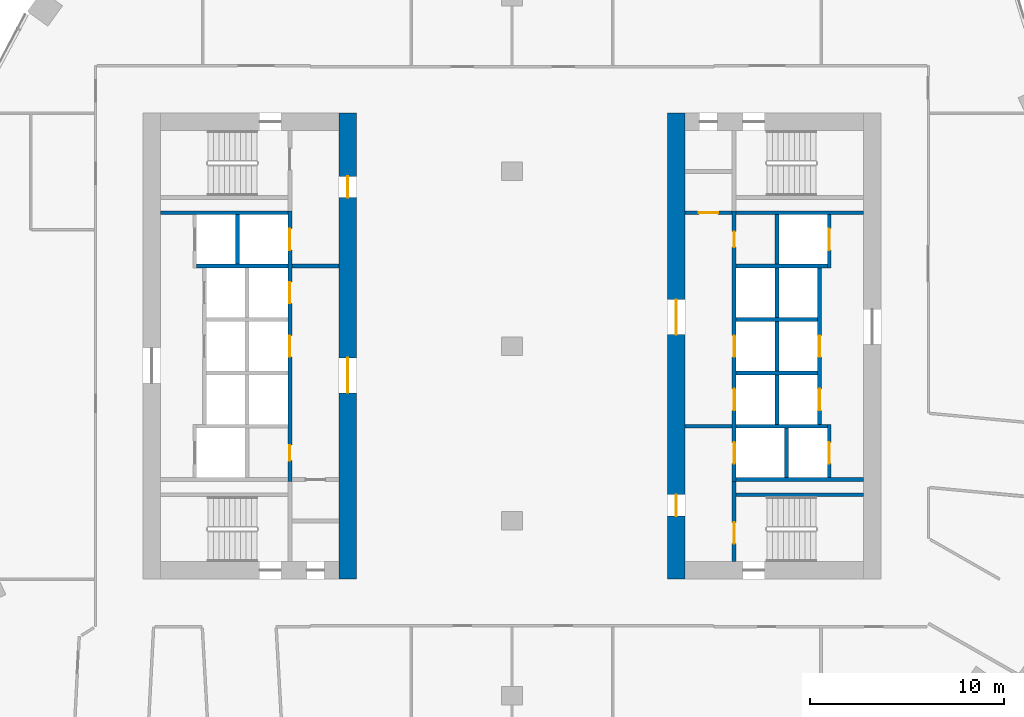
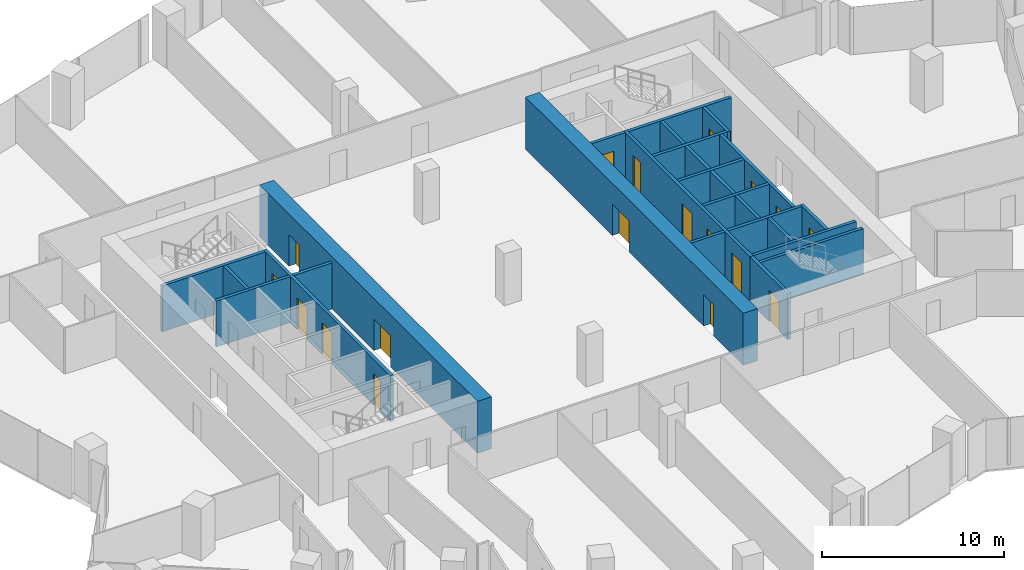
# One storey, part 25 of 31: 26 walls, 18 doors, 18 openings.
"""IFC4 building model written with IfcOpenShell, lengths in metres."""

from ifc_helpers import new_model, si_unit, direction, frame, frame_2d, origin, place, context, subcontext, project, spatial, rectangle, extrude, material, layer, layer_set, type_object, element, fill, save


model = new_model("IFC4")

# Units and contexts
model_context = context("Model", 3, precision=1e-05, world=origin(), true_north=direction((0.0, 1.0)))
body_context = subcontext(model_context, "Body", "Model", "MODEL_VIEW")
ifc_project = project(units=[si_unit("LENGTHUNIT", "METRE"), si_unit("AREAUNIT", "SQUARE_METRE"), si_unit("VOLUMEUNIT", "CUBIC_METRE"), si_unit("PLANEANGLEUNIT", "RADIAN"), si_unit("MASSUNIT", "GRAM", prefix="KILO")], contexts=[model_context])

# Site, building, storey
site_placement = place(None, origin())
site = spatial("IfcSite", under=ifc_project, at=site_placement, CompositionType="ELEMENT")
building_placement = place(site_placement, origin())
building = spatial("IfcBuilding", under=site, at=building_placement, Name="Orlundy Tower", CompositionType="ELEMENT")
storey_placement = place(building_placement, frame((0.0, 0.0, 87.699951171875)))
storey = spatial("IfcBuildingStorey", under=building, at=storey_placement, Name="L21", CompositionType="ELEMENT", Elevation=87.699951171875)

# Wall, openings, doors
ifc_material_1 = material(Name="Concrete C80/95", Category="concrete")
ifc_layer_1 = layer(ifc_material_1, 0.89990234375)
ifc_layer_set_1 = layer_set([ifc_layer_1], Name="CORE WALL 900 C80/95")
wall_type_1 = type_object("IfcWallType", Name="CORE WALL 900 C80/95", PredefinedType="SHEAR", material=ifc_layer_set_1)
wall_1_placement = place(storey_placement, frame((-8.449951171875, -12.0, 0.0), z_axis=(0.0, 0.0, 1.0), x_axis=(0.0, 1.0, 0.0)))
wall_1 = element("IfcWall", 1, at=wall_1_placement, inside=storey, type_object=wall_type_1, Name="Core wall W-E L21", PredefinedType="SHEAR", context=body_context, shape_type="SweptSolid", body=[
    extrude(rectangle(XDim=24.0, YDim=0.89990234375, at=frame_2d((12.0, 0.0))), origin(), (0.0, 0.0, 1.0), 3.5),
])
opening_1_placement = place(wall_1_placement, frame((9.60009765625, 0.0, 0.0)))
opening_1 = element("IfcOpeningElement", 2, at=opening_1_placement, cuts=wall_1, Name="Opening 17009", PredefinedType="OPENING", context=body_context, shape_type="SweptSolid", body=[
    extrude(rectangle(XDim=1.800048828125, YDim=2.10009765625, at=frame_2d((0.89990234375, 1.050048828125))), frame((0.0, 0.4599609375, 0.0), z_axis=(0.0, -1.0, 0.0), x_axis=(1.0, 0.0, 0.0)), (0.0, 0.0, 1.0), 0.919921875),
])
opening_2_placement = place(wall_1_placement, frame((19.64990234375, 0.0, 0.0)))
opening_2 = element("IfcOpeningElement", 3, at=opening_2_placement, cuts=wall_1, Name="Opening 17011", PredefinedType="OPENING", context=body_context, shape_type="SweptSolid", body=[
    extrude(rectangle(XDim=1.10009765625, YDim=2.10009765625, at=frame_2d((0.550048828125, 1.050048828125))), frame((0.0, 0.4599609375, 0.0), z_axis=(0.0, -1.0, 0.0), x_axis=(1.0, 0.0, 0.0)), (0.0, 0.0, 1.0), 0.919921875),
])
ifc_material_2 = material(Name="Steel door set", Category="steel")
door_type_1 = type_object("IfcDoorType", Name="Fire-fighting Lobby Door 1100x2100", OperationType="SINGLE_SWING_LEFT", PredefinedType="DOOR", material=ifc_material_2)
door_1_placement = place(opening_2_placement, origin())
door_1 = element("IfcDoor", 4, at=door_1_placement, inside=storey, type_object=door_type_1, Name="Fire-fighting lobby door 17011", OperationType="SINGLE_SWING_RIGHT", OverallHeight=2.10009765625, OverallWidth=1.10009765625, PredefinedType="DOOR", context=body_context, shape_type="SweptSolid", body=[
    extrude(rectangle(XDim=1.10009765625, YDim=2.10009765625, at=frame_2d((0.550048828125, 1.050048828125))), frame((0.0, 0.02490234375, 0.0), z_axis=(0.0, -1.0, 0.0), x_axis=(1.0, 0.0, 0.0)), (0.0, 0.0, 1.0), 0.050048828125),
])
fill(opening_2, door_1)
ifc_material_3 = material(Name="Timber door set", Category="wood")
door_type_2 = type_object("IfcDoorType", Name="Lobby Door 1800x2100", OperationType="DOUBLE_DOOR_DOUBLE_SWING", PredefinedType="DOOR", material=ifc_material_3)
door_2_placement = place(opening_1_placement, origin())
door_2 = element("IfcDoor", 5, at=door_2_placement, inside=storey, type_object=door_type_2, Name="Lift lobby door 17009", OperationType="SINGLE_SWING_LEFT", OverallHeight=2.10009765625, OverallWidth=1.800048828125, PredefinedType="DOOR", context=body_context, shape_type="SweptSolid", body=[
    extrude(rectangle(XDim=1.800048828125, YDim=2.10009765625, at=frame_2d((0.89990234375, 1.050048828125))), frame((0.0, 0.02490234375, 0.0), z_axis=(0.0, -1.0, 0.0), x_axis=(1.0, 0.0, 0.0)), (0.0, 0.0, 1.0), 0.050048828125),
])
fill(opening_1, door_2)

wall_2_placement = place(storey_placement, frame((8.449951171875, -12.0, 0.0), z_axis=(0.0, 0.0, 1.0), x_axis=(0.0, 1.0, 0.0)))
wall_2 = element("IfcWall", 6, at=wall_2_placement, inside=storey, type_object=wall_type_1, Name="Core wall E-W L21", PredefinedType="SHEAR", context=body_context, shape_type="SweptSolid", body=[
    extrude(rectangle(XDim=24.0, YDim=0.89990234375, at=frame_2d((12.0, 0.0))), origin(), (0.0, 0.0, 1.0), 3.5),
])
opening_3_placement = place(wall_2_placement, frame((12.60009765625, 0.0, 0.0)))
opening_3 = element("IfcOpeningElement", 7, at=opening_3_placement, cuts=wall_2, Name="Opening 17058", PredefinedType="OPENING", context=body_context, shape_type="SweptSolid", body=[
    extrude(rectangle(XDim=1.800048828125, YDim=2.10009765625, at=frame_2d((0.89990234375, 1.050048828125))), frame((0.0, 0.4599609375, 0.0), z_axis=(0.0, -1.0, 0.0), x_axis=(1.0, 0.0, 0.0)), (0.0, 0.0, 1.0), 0.919921875),
])
opening_4_placement = place(wall_2_placement, frame((3.25, 0.0, 0.0)))
opening_4 = element("IfcOpeningElement", 8, at=opening_4_placement, cuts=wall_2, Name="Opening 17060", PredefinedType="OPENING", context=body_context, shape_type="SweptSolid", body=[
    extrude(rectangle(XDim=1.10009765625, YDim=2.10009765625, at=frame_2d((0.550048828125, 1.050048828125))), frame((0.0, 0.4599609375, 0.0), z_axis=(0.0, -1.0, 0.0), x_axis=(1.0, 0.0, 0.0)), (0.0, 0.0, 1.0), 0.919921875),
])
door_3_placement = place(opening_4_placement, origin())
door_3 = element("IfcDoor", 9, at=door_3_placement, inside=storey, type_object=door_type_1, Name="Fire-fighting lobby door 17060", OperationType="SINGLE_SWING_LEFT", OverallHeight=2.10009765625, OverallWidth=1.10009765625, PredefinedType="DOOR", context=body_context, shape_type="SweptSolid", body=[
    extrude(rectangle(XDim=1.10009765625, YDim=2.10009765625, at=frame_2d((0.550048828125, 1.050048828125))), frame((0.0, 0.02490234375, 0.0), z_axis=(0.0, -1.0, 0.0), x_axis=(1.0, 0.0, 0.0)), (0.0, 0.0, 1.0), 0.050048828125),
])
fill(opening_4, door_3)
door_4_placement = place(opening_3_placement, origin())
door_4 = element("IfcDoor", 10, at=door_4_placement, inside=storey, type_object=door_type_2, Name="Lift lobby door 17058", OperationType="SINGLE_SWING_RIGHT", OverallHeight=2.10009765625, OverallWidth=1.800048828125, PredefinedType="DOOR", context=body_context, shape_type="SweptSolid", body=[
    extrude(rectangle(XDim=1.800048828125, YDim=2.10009765625, at=frame_2d((0.89990234375, 1.050048828125))), frame((0.0, 0.02490234375, 0.0), z_axis=(0.0, -1.0, 0.0), x_axis=(1.0, 0.0, 0.0)), (0.0, 0.0, 1.0), 0.050048828125),
])
fill(opening_3, door_4)

# Wall, opening, door
ifc_material_4 = material(Name="Concrete C40/50", Category="concrete")
ifc_layer_2 = layer(ifc_material_4, 0.199951171875)
ifc_layer_set_2 = layer_set([ifc_layer_2], Name="Load-bearing Shaft Wall 200")
wall_type_2 = type_object("IfcWallType", Name="Load-bearing Shaft Wall 200", PredefinedType="SOLIDWALL", material=ifc_layer_set_2)
wall_3_placement = place(storey_placement, frame((11.43994140625, -6.97509765625, 0.0), z_axis=(0.0, 0.0, 1.0), x_axis=(0.0, -1.0, 0.0)))
wall_3 = element("IfcWall", 11, at=wall_3_placement, inside=storey, type_object=wall_type_2, Name="Shaft wall E17-stair-end-n", PredefinedType="SOLIDWALL", context=body_context, shape_type="SweptSolid", body=[
    extrude(rectangle(XDim=4.125, YDim=0.199951171875, at=frame_2d((2.0625, 0.0))), origin(), (0.0, 0.0, 1.0), 3.090087890625),
])
opening_5_placement = place(wall_3_placement, frame((2.10009765625, 0.0, 0.0)))
opening_5 = element("IfcOpeningElement", 12, at=opening_5_placement, cuts=wall_3, Name="Opening 17063", PredefinedType="OPENING", context=body_context, shape_type="SweptSolid", body=[
    extrude(rectangle(XDim=1.10009765625, YDim=2.10009765625, at=frame_2d((0.550048828125, 1.050048828125))), frame((0.0, 0.110107421875, 0.0), z_axis=(0.0, -1.0, 0.0), x_axis=(1.0, 0.0, 0.0)), (0.0, 0.0, 1.0), 0.22021484375),
])
door_5_placement = place(opening_5_placement, origin())
door_5 = element("IfcDoor", 13, at=door_5_placement, inside=storey, type_object=door_type_1, Name="Fire-fighting lobby to stair door 17063", OperationType="SINGLE_SWING_RIGHT", OverallHeight=2.10009765625, OverallWidth=1.10009765625, PredefinedType="DOOR", context=body_context, shape_type="SweptSolid", body=[
    extrude(rectangle(XDim=1.10009765625, YDim=2.10009765625, at=frame_2d((0.550048828125, 1.050048828125))), frame((0.0, 0.02490234375, 0.0), z_axis=(0.0, -1.0, 0.0), x_axis=(1.0, 0.0, 0.0)), (0.0, 0.0, 1.0), 0.050048828125),
])
fill(opening_5, door_5)

# Walls
wall_4_placement = place(storey_placement, frame((11.5400390625, -7.64990234375, 0.0), z_axis=(0.0, 0.0, 1.0), x_axis=(1.0, 0.0, 0.0)))
element("IfcWall", 14, at=wall_4_placement, inside=storey, type_object=wall_type_2, Name="Shaft wall E17-stair-side-n", PredefinedType="SOLIDWALL", context=body_context, shape_type="SweptSolid", body=[
    extrude(rectangle(XDim=6.56005859375, YDim=0.199951171875, at=frame_2d((3.280029296875, 0.0))), origin(), (0.0, 0.0, 1.0), 3.090087890625),
])
ifc_material_5 = material(Name="Gypsum board partition on steel studs", Category="steel")
ifc_layer_3 = layer(ifc_material_5, 0.199951171875)
ifc_layer_set_3 = layer_set([ifc_layer_3], Name="Partition 200")
wall_type_3 = type_object("IfcWallType", Name="Partition 200", PredefinedType="PARTITIONING", material=ifc_layer_set_3)
for number, where, z_axis, x_axis, name in (
    (15, (-8.89990234375, 4.125, 0.0), (0.0, 0.0, 1.0), (-1.0, 0.0, 0.0), "Partition wall W17-lobby-n"),
    (16, (8.89990234375, -4.125, 0.0), (0.0, 0.0, 1.0), (1.0, 0.0, 0.0), "Partition wall E17-lobby-n"),
):
    element("IfcWall", number, at=place(storey_placement, frame(where, z_axis=z_axis, x_axis=x_axis)), inside=storey, type_object=wall_type_3, Name=name, PredefinedType="PARTITIONING", context=body_context, shape_type="SweptSolid", body=[
        extrude(rectangle(XDim=2.440185546875, YDim=0.199951171875, at=frame_2d((1.22021484375, 0.0))), origin(), (0.0, 0.0, 1.0), 3.090087890625),
    ])

# Wall, opening, door
wall_5_placement = place(storey_placement, frame((8.89990234375, 6.875, 0.0), z_axis=(0.0, 0.0, 1.0), x_axis=(1.0, 0.0, 0.0)))
wall_5 = element("IfcWall", 17, at=wall_5_placement, inside=storey, type_object=wall_type_3, Name="Partition wall E17-end-s", PredefinedType="PARTITIONING", context=body_context, shape_type="SweptSolid", body=[
    extrude(rectangle(XDim=2.440185546875, YDim=0.199951171875, at=frame_2d((1.22021484375, 0.0))), origin(), (0.0, 0.0, 1.0), 3.090087890625),
])
opening_6_placement = place(wall_5_placement, frame((0.719970703125, 0.0, 0.0)))
opening_6 = element("IfcOpeningElement", 18, at=opening_6_placement, cuts=wall_5, Name="Opening 17065", PredefinedType="OPENING", context=body_context, shape_type="SweptSolid", body=[
    extrude(rectangle(XDim=1.0, YDim=2.10009765625, at=frame_2d((0.5, 1.050048828125))), frame((0.0, 0.110107421875, 0.0), z_axis=(0.0, -1.0, 0.0), x_axis=(1.0, 0.0, 0.0)), (0.0, 0.0, 1.0), 0.22021484375),
])
ifc_material_6 = material(Name="Timber door set", Category="wood")
door_type_3 = type_object("IfcDoorType", Name="Accessible Door 1000x2100", OperationType="SINGLE_SWING_LEFT", PredefinedType="DOOR", material=ifc_material_6)
door_6_placement = place(opening_6_placement, origin())
door_6 = element("IfcDoor", 19, at=door_6_placement, inside=storey, type_object=door_type_3, Name="Accessible WC door 17065", OperationType="SINGLE_SWING_RIGHT", OverallHeight=2.10009765625, OverallWidth=1.0, PredefinedType="DOOR", context=body_context, shape_type="SweptSolid", body=[
    extrude(rectangle(XDim=1.0, YDim=2.10009765625, at=frame_2d((0.5, 1.050048828125))), frame((0.0, 0.02490234375, 0.0), z_axis=(0.0, -1.0, 0.0), x_axis=(1.0, 0.0, 0.0)), (0.0, 0.0, 1.0), 0.050048828125),
])
fill(opening_6, door_6)

# Walls
ifc_material_7 = material(Name="Fire-rated blockwork shaft wall", Category="masonry")
ifc_layer_4 = layer(ifc_material_7, 0.199951171875)
ifc_layer_set_4 = layer_set([ifc_layer_4], Name="Shaft Wall 200")
wall_type_4 = type_object("IfcWallType", Name="Shaft Wall 200", PredefinedType="SOLIDWALL", material=ifc_layer_set_4)
wall_6_placement = place(storey_placement, frame((-11.5400390625, 6.875, 0.0), z_axis=(0.0, 0.0, 1.0), x_axis=(-1.0, 0.0, 0.0)))
element("IfcWall", 20, at=wall_6_placement, inside=storey, type_object=wall_type_4, Name="Shaft wall W17-zone-n", PredefinedType="SOLIDWALL", context=body_context, shape_type="SweptSolid", body=[
    extrude(rectangle(XDim=6.56005859375, YDim=0.199951171875, at=frame_2d((3.280029296875, 0.0))), origin(), (0.0, 0.0, 1.0), 3.090087890625),
])
wall_7_placement = place(storey_placement, frame((-11.5400390625, 4.125, 0.0), z_axis=(0.0, 0.0, 1.0), x_axis=(-1.0, 0.0, 0.0)))
element("IfcWall", 21, at=wall_7_placement, inside=storey, type_object=wall_type_4, Name="Shaft wall W17-cross+4.125", PredefinedType="SOLIDWALL", context=body_context, shape_type="SweptSolid", body=[
    extrude(rectangle(XDim=4.699951171875, YDim=0.199951171875, at=frame_2d((2.35009765625, 0.0))), origin(), (0.0, 0.0, 1.0), 3.090087890625),
])

# Wall, openings, doors
wall_8_placement = place(storey_placement, frame((-11.43994140625, -6.97509765625, 0.0), z_axis=(0.0, 0.0, 1.0), x_axis=(0.0, 1.0, 0.0)))
wall_8 = element("IfcWall", 22, at=wall_8_placement, inside=storey, type_object=wall_type_4, Name="Shaft wall W17-front-h", PredefinedType="SOLIDWALL", context=body_context, shape_type="SweptSolid", body=[
    extrude(rectangle(XDim=13.9501953125, YDim=0.199951171875, at=frame_2d((6.97509765625, 0.0))), origin(), (0.0, 0.0, 1.0), 3.090087890625),
])
opening_7_placement = place(wall_8_placement, frame((6.425048828125, 0.0, 0.0)))
opening_7 = element("IfcOpeningElement", 23, at=opening_7_placement, cuts=wall_8, Name="Opening 17002", PredefinedType="OPENING", context=body_context, shape_type="SweptSolid", body=[
    extrude(rectangle(XDim=1.10009765625, YDim=2.10009765625, at=frame_2d((0.550048828125, 1.050048828125))), frame((0.0, 0.110107421875, 0.0), z_axis=(0.0, -1.0, 0.0), x_axis=(1.0, 0.0, 0.0)), (0.0, 0.0, 1.0), 0.22021484375),
])
opening_8_placement = place(wall_8_placement, frame((9.175048828125, 0.0, 0.0)))
opening_8 = element("IfcOpeningElement", 24, at=opening_8_placement, cuts=wall_8, Name="Opening 17004", PredefinedType="OPENING", context=body_context, shape_type="SweptSolid", body=[
    extrude(rectangle(XDim=1.10009765625, YDim=2.10009765625, at=frame_2d((0.550048828125, 1.050048828125))), frame((0.0, 0.110107421875, 0.0), z_axis=(0.0, -1.0, 0.0), x_axis=(1.0, 0.0, 0.0)), (0.0, 0.0, 1.0), 0.22021484375),
])
opening_9_placement = place(wall_8_placement, frame((11.925048828125, 0.0, 0.0)))
opening_9 = element("IfcOpeningElement", 25, at=opening_9_placement, cuts=wall_8, Name="Opening 17006", PredefinedType="OPENING", context=body_context, shape_type="SweptSolid", body=[
    extrude(rectangle(XDim=1.10009765625, YDim=2.10009765625, at=frame_2d((0.550048828125, 1.050048828125))), frame((0.0, 0.110107421875, 0.0), z_axis=(0.0, -1.0, 0.0), x_axis=(1.0, 0.0, 0.0)), (0.0, 0.0, 1.0), 0.22021484375),
])
opening_10_placement = place(wall_8_placement, frame((1.074951171875, 0.0, 0.0)))
opening_10 = element("IfcOpeningElement", 26, at=opening_10_placement, cuts=wall_8, Name="Opening 17008", PredefinedType="OPENING", context=body_context, shape_type="SweptSolid", body=[
    extrude(rectangle(XDim=0.800048828125, YDim=2.10009765625, at=frame_2d((0.39990234375, 1.050048828125))), frame((0.0, 0.110107421875, 0.0), z_axis=(0.0, -1.0, 0.0), x_axis=(1.0, 0.0, 0.0)), (0.0, 0.0, 1.0), 0.22021484375),
])
ifc_material_8 = material(Name="Steel door set", Category="steel")
door_type_4 = type_object("IfcDoorType", Name="Landing Door 1100x2100", OperationType="DOUBLE_DOOR_SLIDING", PredefinedType="DOOR", material=ifc_material_8)
door_7_placement = place(opening_7_placement, origin())
door_7 = element("IfcDoor", 27, at=door_7_placement, inside=storey, type_object=door_type_4, Name="Lift landing door LP-05 17002", OperationType="DOUBLE_DOOR_SLIDING", OverallHeight=2.10009765625, OverallWidth=1.10009765625, PredefinedType="DOOR", context=body_context, shape_type="SweptSolid", body=[
    extrude(rectangle(XDim=1.10009765625, YDim=2.10009765625, at=frame_2d((0.550048828125, 1.050048828125))), frame((0.0, 0.02490234375, 0.0), z_axis=(0.0, -1.0, 0.0), x_axis=(1.0, 0.0, 0.0)), (0.0, 0.0, 1.0), 0.050048828125),
])
fill(opening_7, door_7)
door_8_placement = place(opening_8_placement, origin())
door_8 = element("IfcDoor", 28, at=door_8_placement, inside=storey, type_object=door_type_4, Name="Lift landing door LP-02 17004", OperationType="DOUBLE_DOOR_SLIDING", OverallHeight=2.10009765625, OverallWidth=1.10009765625, PredefinedType="DOOR", context=body_context, shape_type="SweptSolid", body=[
    extrude(rectangle(XDim=1.10009765625, YDim=2.10009765625, at=frame_2d((0.550048828125, 1.050048828125))), frame((0.0, 0.02490234375, 0.0), z_axis=(0.0, -1.0, 0.0), x_axis=(1.0, 0.0, 0.0)), (0.0, 0.0, 1.0), 0.050048828125),
])
fill(opening_8, door_8)
door_9_placement = place(opening_9_placement, origin())
door_9 = element("IfcDoor", 29, at=door_9_placement, inside=storey, type_object=door_type_4, Name="Lift landing door FL1 17006", OperationType="DOUBLE_DOOR_SLIDING", OverallHeight=2.10009765625, OverallWidth=1.10009765625, PredefinedType="DOOR", context=body_context, shape_type="SweptSolid", body=[
    extrude(rectangle(XDim=1.10009765625, YDim=2.10009765625, at=frame_2d((0.550048828125, 1.050048828125))), frame((0.0, 0.02490234375, 0.0), z_axis=(0.0, -1.0, 0.0), x_axis=(1.0, 0.0, 0.0)), (0.0, 0.0, 1.0), 0.050048828125),
])
fill(opening_9, door_9)
ifc_material_9 = material(Name="Timber door set", Category="wood")
door_type_5 = type_object("IfcDoorType", Name="Riser Door 800x2100", OperationType="SINGLE_SWING_LEFT", PredefinedType="DOOR", material=ifc_material_9)
door_10_placement = place(opening_10_placement, origin())
door_10 = element("IfcDoor", 30, at=door_10_placement, inside=storey, type_object=door_type_5, Name="Telecom Room door 17008", OperationType="SINGLE_SWING_LEFT", OverallHeight=2.10009765625, OverallWidth=0.800048828125, PredefinedType="DOOR", context=body_context, shape_type="SweptSolid", body=[
    extrude(rectangle(XDim=0.800048828125, YDim=2.10009765625, at=frame_2d((0.39990234375, 1.050048828125))), frame((0.0, 0.02490234375, 0.0), z_axis=(0.0, -1.0, 0.0), x_axis=(1.0, 0.0, 0.0)), (0.0, 0.0, 1.0), 0.050048828125),
])
fill(opening_10, door_10)

# Walls
wall_9_placement = place(storey_placement, frame((-14.139892578125, 4.22509765625, 0.0), z_axis=(0.0, 0.0, 1.0), x_axis=(0.0, 1.0, 0.0)))
element("IfcWall", 31, at=wall_9_placement, inside=storey, type_object=wall_type_4, Name="Shaft wall W17-mid-b", PredefinedType="SOLIDWALL", context=body_context, shape_type="SweptSolid", body=[
    extrude(rectangle(XDim=2.5498046875, YDim=0.199951171875, at=frame_2d((1.27490234375, 0.0))), origin(), (0.0, 0.0, 1.0), 3.090087890625),
])
for number, where, z_axis, x_axis, name in (
    (32, (11.5400390625, -6.875, 0.0), (0.0, 0.0, 1.0), (1.0, 0.0, 0.0), "Shaft wall E17-zone-n"),
    (33, (11.5400390625, 6.875, 0.0), (0.0, 0.0, 1.0), (1.0, 0.0, 0.0), "Shaft wall E17-zone-s"),
):
    element("IfcWall", number, at=place(storey_placement, frame(where, z_axis=z_axis, x_axis=x_axis)), inside=storey, type_object=wall_type_4, Name=name, PredefinedType="SOLIDWALL", context=body_context, shape_type="SweptSolid", body=[
        extrude(rectangle(XDim=6.56005859375, YDim=0.199951171875, at=frame_2d((3.280029296875, 0.0))), origin(), (0.0, 0.0, 1.0), 3.090087890625),
    ])
wall_10_placement = place(storey_placement, frame((11.5400390625, 4.125, 0.0), z_axis=(0.0, 0.0, 1.0), x_axis=(1.0, 0.0, 0.0)))
element("IfcWall", 34, at=wall_10_placement, inside=storey, type_object=wall_type_4, Name="Shaft wall E17-cross-4.125", PredefinedType="SOLIDWALL", context=body_context, shape_type="SweptSolid", body=[
    extrude(rectangle(XDim=4.699951171875, YDim=0.199951171875, at=frame_2d((2.35009765625, 0.0))), origin(), (0.0, 0.0, 1.0), 3.090087890625),
])
for number, where, z_axis, x_axis, name in (
    (35, (11.5400390625, 1.375, 0.0), (0.0, 0.0, 1.0), (1.0, 0.0, 0.0), "Shaft wall E17-cross-1.375"),
    (36, (11.5400390625, -1.375, 0.0), (0.0, 0.0, 1.0), (1.0, 0.0, 0.0), "Shaft wall E17-cross+1.375"),
):
    element("IfcWall", number, at=place(storey_placement, frame(where, z_axis=z_axis, x_axis=x_axis)), inside=storey, type_object=wall_type_4, Name=name, PredefinedType="SOLIDWALL", context=body_context, shape_type="SweptSolid", body=[
        extrude(rectangle(XDim=4.199951171875, YDim=0.199951171875, at=frame_2d((2.10009765625, 0.0))), origin(), (0.0, 0.0, 1.0), 3.090087890625),
    ])
wall_11_placement = place(storey_placement, frame((11.5400390625, -4.125, 0.0), z_axis=(0.0, 0.0, 1.0), x_axis=(1.0, 0.0, 0.0)))
element("IfcWall", 37, at=wall_11_placement, inside=storey, type_object=wall_type_4, Name="Shaft wall E17-cross+4.125", PredefinedType="SOLIDWALL", context=body_context, shape_type="SweptSolid", body=[
    extrude(rectangle(XDim=4.699951171875, YDim=0.199951171875, at=frame_2d((2.35009765625, 0.0))), origin(), (0.0, 0.0, 1.0), 3.090087890625),
])

# Wall, openings, doors
wall_12_placement = place(storey_placement, frame((11.43994140625, 6.97509765625, 0.0), z_axis=(0.0, 0.0, 1.0), x_axis=(0.0, -1.0, 0.0)))
wall_12 = element("IfcWall", 38, at=wall_12_placement, inside=storey, type_object=wall_type_4, Name="Shaft wall E17-front-h", PredefinedType="SOLIDWALL", context=body_context, shape_type="SweptSolid", body=[
    extrude(rectangle(XDim=13.9501953125, YDim=0.199951171875, at=frame_2d((6.97509765625, 0.0))), origin(), (0.0, 0.0, 1.0), 3.090087890625),
])
opening_11_placement = place(wall_12_placement, frame((6.425048828125, 0.0, 0.0)))
opening_11 = element("IfcOpeningElement", 39, at=opening_11_placement, cuts=wall_12, Name="Opening 17051", PredefinedType="OPENING", context=body_context, shape_type="SweptSolid", body=[
    extrude(rectangle(XDim=1.10009765625, YDim=2.10009765625, at=frame_2d((0.550048828125, 1.050048828125))), frame((0.0, 0.110107421875, 0.0), z_axis=(0.0, -1.0, 0.0), x_axis=(1.0, 0.0, 0.0)), (0.0, 0.0, 1.0), 0.22021484375),
])
opening_12_placement = place(wall_12_placement, frame((9.175048828125, 0.0, 0.0)))
opening_12 = element("IfcOpeningElement", 40, at=opening_12_placement, cuts=wall_12, Name="Opening 17053", PredefinedType="OPENING", context=body_context, shape_type="SweptSolid", body=[
    extrude(rectangle(XDim=1.10009765625, YDim=2.10009765625, at=frame_2d((0.550048828125, 1.050048828125))), frame((0.0, 0.110107421875, 0.0), z_axis=(0.0, -1.0, 0.0), x_axis=(1.0, 0.0, 0.0)), (0.0, 0.0, 1.0), 0.22021484375),
])
opening_13_placement = place(wall_12_placement, frame((11.925048828125, 0.0, 0.0)))
opening_13 = element("IfcOpeningElement", 41, at=opening_13_placement, cuts=wall_12, Name="Opening 17055", PredefinedType="OPENING", context=body_context, shape_type="SweptSolid", body=[
    extrude(rectangle(XDim=1.10009765625, YDim=2.10009765625, at=frame_2d((0.550048828125, 1.050048828125))), frame((0.0, 0.110107421875, 0.0), z_axis=(0.0, -1.0, 0.0), x_axis=(1.0, 0.0, 0.0)), (0.0, 0.0, 1.0), 0.22021484375),
])
opening_14_placement = place(wall_12_placement, frame((1.074951171875, 0.0, 0.0)))
opening_14 = element("IfcOpeningElement", 42, at=opening_14_placement, cuts=wall_12, Name="Opening 17057", PredefinedType="OPENING", context=body_context, shape_type="SweptSolid", body=[
    extrude(rectangle(XDim=0.800048828125, YDim=2.10009765625, at=frame_2d((0.39990234375, 1.050048828125))), frame((0.0, 0.110107421875, 0.0), z_axis=(0.0, -1.0, 0.0), x_axis=(1.0, 0.0, 0.0)), (0.0, 0.0, 1.0), 0.22021484375),
])
door_11_placement = place(opening_11_placement, origin())
door_11 = element("IfcDoor", 43, at=door_11_placement, inside=storey, type_object=door_type_4, Name="Lift landing door LP-10 17051", OperationType="DOUBLE_DOOR_SLIDING", OverallHeight=2.10009765625, OverallWidth=1.10009765625, PredefinedType="DOOR", context=body_context, shape_type="SweptSolid", body=[
    extrude(rectangle(XDim=1.10009765625, YDim=2.10009765625, at=frame_2d((0.550048828125, 1.050048828125))), frame((0.0, 0.02490234375, 0.0), z_axis=(0.0, -1.0, 0.0), x_axis=(1.0, 0.0, 0.0)), (0.0, 0.0, 1.0), 0.050048828125),
])
fill(opening_11, door_11)
door_12_placement = place(opening_12_placement, origin())
door_12 = element("IfcDoor", 44, at=door_12_placement, inside=storey, type_object=door_type_4, Name="Lift landing door LP-07 17053", OperationType="DOUBLE_DOOR_SLIDING", OverallHeight=2.10009765625, OverallWidth=1.10009765625, PredefinedType="DOOR", context=body_context, shape_type="SweptSolid", body=[
    extrude(rectangle(XDim=1.10009765625, YDim=2.10009765625, at=frame_2d((0.550048828125, 1.050048828125))), frame((0.0, 0.02490234375, 0.0), z_axis=(0.0, -1.0, 0.0), x_axis=(1.0, 0.0, 0.0)), (0.0, 0.0, 1.0), 0.050048828125),
])
fill(opening_12, door_12)
door_13_placement = place(opening_13_placement, origin())
door_13 = element("IfcDoor", 45, at=door_13_placement, inside=storey, type_object=door_type_4, Name="Lift landing door FL2 17055", OperationType="DOUBLE_DOOR_SLIDING", OverallHeight=2.10009765625, OverallWidth=1.10009765625, PredefinedType="DOOR", context=body_context, shape_type="SweptSolid", body=[
    extrude(rectangle(XDim=1.10009765625, YDim=2.10009765625, at=frame_2d((0.550048828125, 1.050048828125))), frame((0.0, 0.02490234375, 0.0), z_axis=(0.0, -1.0, 0.0), x_axis=(1.0, 0.0, 0.0)), (0.0, 0.0, 1.0), 0.050048828125),
])
fill(opening_13, door_13)
door_14_placement = place(opening_14_placement, origin())
door_14 = element("IfcDoor", 46, at=door_14_placement, inside=storey, type_object=door_type_5, Name="Telecom Room door 17057", OperationType="SINGLE_SWING_LEFT", OverallHeight=2.10009765625, OverallWidth=0.800048828125, PredefinedType="DOOR", context=body_context, shape_type="SweptSolid", body=[
    extrude(rectangle(XDim=0.800048828125, YDim=2.10009765625, at=frame_2d((0.39990234375, 1.050048828125))), frame((0.0, 0.02490234375, 0.0), z_axis=(0.0, -1.0, 0.0), x_axis=(1.0, 0.0, 0.0)), (0.0, 0.0, 1.0), 0.050048828125),
])
fill(opening_14, door_14)

# Walls
for number, where, z_axis, x_axis, name in (
    (47, (13.639892578125, 6.77490234375, 0.0), (0.0, 0.0, 1.0), (0.0, -1.0, 0.0), "Shaft wall E17-mid-a"),
    (48, (13.639892578125, 4.02490234375, 0.0), (0.0, 0.0, 1.0), (0.0, -1.0, 0.0), "Shaft wall E17-mid-a.1"),
    (49, (13.639892578125, 1.27490234375, 0.0), (0.0, 0.0, 1.0), (0.0, -1.0, 0.0), "Shaft wall E17-mid-a.2"),
    (50, (13.639892578125, -1.47509765625, 0.0), (0.0, 0.0, 1.0), (0.0, -1.0, 0.0), "Shaft wall E17-mid-a.3"),
    (51, (14.139892578125, -4.22509765625, 0.0), (0.0, 0.0, 1.0), (0.0, -1.0, 0.0), "Shaft wall E17-mid-b"),
):
    element("IfcWall", number, at=place(storey_placement, frame(where, z_axis=z_axis, x_axis=x_axis)), inside=storey, type_object=wall_type_4, Name=name, PredefinedType="SOLIDWALL", context=body_context, shape_type="SweptSolid", body=[
        extrude(rectangle(XDim=2.5498046875, YDim=0.199951171875, at=frame_2d((1.27490234375, 0.0))), origin(), (0.0, 0.0, 1.0), 3.090087890625),
    ])

# Wall, opening, door
wall_13_placement = place(storey_placement, frame((16.340087890625, 6.77490234375, 0.0), z_axis=(0.0, 0.0, 1.0), x_axis=(0.0, -1.0, 0.0)))
wall_13 = element("IfcWall", 52, at=wall_13_placement, inside=storey, type_object=wall_type_4, Name="Shaft wall E17-front-o-a", PredefinedType="SOLIDWALL", context=body_context, shape_type="SweptSolid", body=[
    extrude(rectangle(XDim=2.75, YDim=0.199951171875, at=frame_2d((1.375, 0.0))), origin(), (0.0, 0.0, 1.0), 3.090087890625),
])
opening_15_placement = place(wall_13_placement, frame((0.72509765625, 0.0, 0.0)))
opening_15 = element("IfcOpeningElement", 53, at=opening_15_placement, cuts=wall_13, Name="Opening 17050", PredefinedType="OPENING", context=body_context, shape_type="SweptSolid", body=[
    extrude(rectangle(XDim=1.10009765625, YDim=2.10009765625, at=frame_2d((0.550048828125, 1.050048828125))), frame((0.0, 0.110107421875, 0.0), z_axis=(0.0, -1.0, 0.0), x_axis=(1.0, 0.0, 0.0)), (0.0, 0.0, 1.0), 0.22021484375),
])
door_15_placement = place(opening_15_placement, origin())
door_15 = element("IfcDoor", 54, at=door_15_placement, inside=storey, type_object=door_type_4, Name="Lift landing door LV-02 17050", OperationType="DOUBLE_DOOR_SLIDING", OverallHeight=2.10009765625, OverallWidth=1.10009765625, PredefinedType="DOOR", context=body_context, shape_type="SweptSolid", body=[
    extrude(rectangle(XDim=1.10009765625, YDim=2.10009765625, at=frame_2d((0.550048828125, 1.050048828125))), frame((0.0, 0.02490234375, 0.0), z_axis=(0.0, -1.0, 0.0), x_axis=(1.0, 0.0, 0.0)), (0.0, 0.0, 1.0), 0.050048828125),
])
fill(opening_15, door_15)

# Wall, openings, doors
wall_14_placement = place(storey_placement, frame((15.840087890625, 4.02490234375, 0.0), z_axis=(0.0, 0.0, 1.0), x_axis=(0.0, -1.0, 0.0)))
wall_14 = element("IfcWall", 55, at=wall_14_placement, inside=storey, type_object=wall_type_4, Name="Shaft wall E17-front-o-b", PredefinedType="SOLIDWALL", context=body_context, shape_type="SweptSolid", body=[
    extrude(rectangle(XDim=8.0498046875, YDim=0.199951171875, at=frame_2d((4.02490234375, 0.0))), origin(), (0.0, 0.0, 1.0), 3.090087890625),
])
opening_16_placement = place(wall_14_placement, frame((3.47509765625, 0.0, 0.0)))
opening_16 = element("IfcOpeningElement", 56, at=opening_16_placement, cuts=wall_14, Name="Opening 17052", PredefinedType="OPENING", context=body_context, shape_type="SweptSolid", body=[
    extrude(rectangle(XDim=1.10009765625, YDim=2.10009765625, at=frame_2d((0.550048828125, 1.050048828125))), frame((0.0, 0.110107421875, 0.0), z_axis=(0.0, -1.0, 0.0), x_axis=(1.0, 0.0, 0.0)), (0.0, 0.0, 1.0), 0.22021484375),
])
opening_17_placement = place(wall_14_placement, frame((6.22509765625, 0.0, 0.0)))
opening_17 = element("IfcOpeningElement", 57, at=opening_17_placement, cuts=wall_14, Name="Opening 17054", PredefinedType="OPENING", context=body_context, shape_type="SweptSolid", body=[
    extrude(rectangle(XDim=1.10009765625, YDim=2.10009765625, at=frame_2d((0.550048828125, 1.050048828125))), frame((0.0, 0.110107421875, 0.0), z_axis=(0.0, -1.0, 0.0), x_axis=(1.0, 0.0, 0.0)), (0.0, 0.0, 1.0), 0.22021484375),
])
door_16_placement = place(opening_16_placement, origin())
door_16 = element("IfcDoor", 58, at=door_16_placement, inside=storey, type_object=door_type_4, Name="Lift landing door LP-06 17052", OperationType="DOUBLE_DOOR_SLIDING", OverallHeight=2.10009765625, OverallWidth=1.10009765625, PredefinedType="DOOR", context=body_context, shape_type="SweptSolid", body=[
    extrude(rectangle(XDim=1.10009765625, YDim=2.10009765625, at=frame_2d((0.550048828125, 1.050048828125))), frame((0.0, 0.02490234375, 0.0), z_axis=(0.0, -1.0, 0.0), x_axis=(1.0, 0.0, 0.0)), (0.0, 0.0, 1.0), 0.050048828125),
])
fill(opening_16, door_16)
door_17_placement = place(opening_17_placement, origin())
door_17 = element("IfcDoor", 59, at=door_17_placement, inside=storey, type_object=door_type_4, Name="Lift landing door LP-08 17054", OperationType="DOUBLE_DOOR_SLIDING", OverallHeight=2.10009765625, OverallWidth=1.10009765625, PredefinedType="DOOR", context=body_context, shape_type="SweptSolid", body=[
    extrude(rectangle(XDim=1.10009765625, YDim=2.10009765625, at=frame_2d((0.550048828125, 1.050048828125))), frame((0.0, 0.02490234375, 0.0), z_axis=(0.0, -1.0, 0.0), x_axis=(1.0, 0.0, 0.0)), (0.0, 0.0, 1.0), 0.050048828125),
])
fill(opening_17, door_17)

# Wall, opening, door
wall_15_placement = place(storey_placement, frame((16.340087890625, -4.02490234375, 0.0), z_axis=(0.0, 0.0, 1.0), x_axis=(0.0, -1.0, 0.0)))
wall_15 = element("IfcWall", 60, at=wall_15_placement, inside=storey, type_object=wall_type_4, Name="Shaft wall E17-front-o-c", PredefinedType="SOLIDWALL", context=body_context, shape_type="SweptSolid", body=[
    extrude(rectangle(XDim=2.75, YDim=0.199951171875, at=frame_2d((1.375, 0.0))), origin(), (0.0, 0.0, 1.0), 3.090087890625),
])
opening_18_placement = place(wall_15_placement, frame((0.925048828125, 0.0, 0.0)))
opening_18 = element("IfcOpeningElement", 61, at=opening_18_placement, cuts=wall_15, Name="Opening 17056", PredefinedType="OPENING", context=body_context, shape_type="SweptSolid", body=[
    extrude(rectangle(XDim=1.10009765625, YDim=2.10009765625, at=frame_2d((0.550048828125, 1.050048828125))), frame((0.0, 0.110107421875, 0.0), z_axis=(0.0, -1.0, 0.0), x_axis=(1.0, 0.0, 0.0)), (0.0, 0.0, 1.0), 0.22021484375),
])
door_18_placement = place(opening_18_placement, origin())
door_18 = element("IfcDoor", 62, at=door_18_placement, inside=storey, type_object=door_type_4, Name="Lift landing door LP-09 17056", OperationType="DOUBLE_DOOR_SLIDING", OverallHeight=2.10009765625, OverallWidth=1.10009765625, PredefinedType="DOOR", context=body_context, shape_type="SweptSolid", body=[
    extrude(rectangle(XDim=1.10009765625, YDim=2.10009765625, at=frame_2d((0.550048828125, 1.050048828125))), frame((0.0, 0.02490234375, 0.0), z_axis=(0.0, -1.0, 0.0), x_axis=(1.0, 0.0, 0.0)), (0.0, 0.0, 1.0), 0.050048828125),
])
fill(opening_18, door_18)

save(model, "model.ifc")
